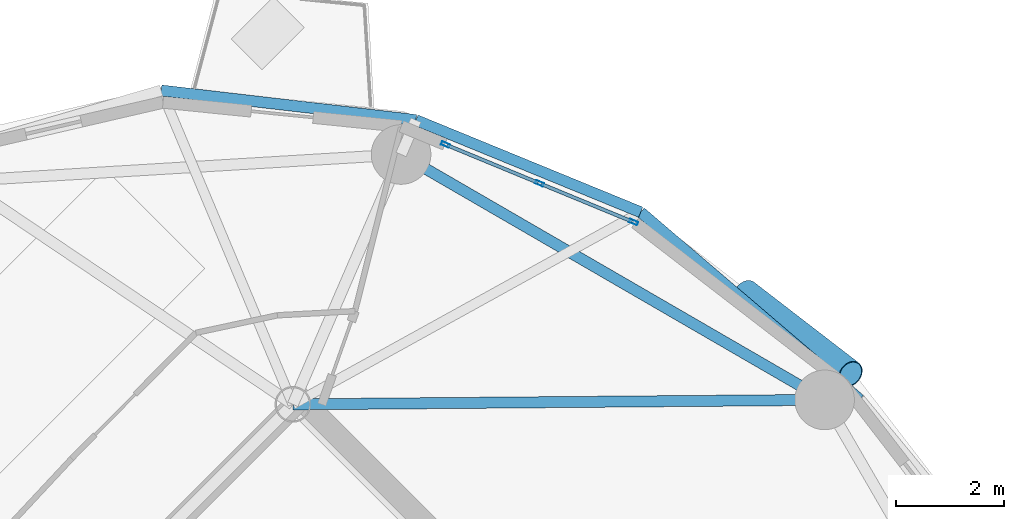
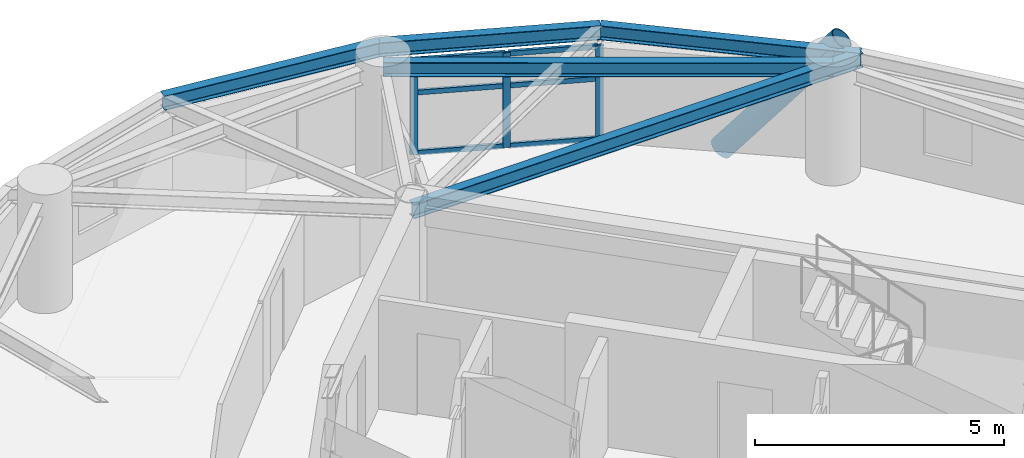
# One storey, part 5 of 15: 10 members, 5 beams, 1 element without a shape of its own.
"""IFC4 building model written with IfcOpenShell, lengths in metres."""

from ifc_helpers import new_model, si_unit, direction, frame, origin, origin_2d, place, context, subcontext, project, spatial, hollow_rectangle, hollow_circle, i_section, extrude, material, layer, layer_set, material_profile, profile_set, type_object, element, aggregate, save


model = new_model("IFC4")

# Units and contexts
model_context = context("Model", 3, precision=1e-05, world=origin(), true_north=direction((0.0, 1.0)))
body_context = subcontext(model_context, "Body", "Model", "MODEL_VIEW")
ifc_project = project(units=[si_unit("LENGTHUNIT", "METRE"), si_unit("AREAUNIT", "SQUARE_METRE"), si_unit("VOLUMEUNIT", "CUBIC_METRE"), si_unit("PLANEANGLEUNIT", "RADIAN"), si_unit("MASSUNIT", "GRAM", prefix="KILO")], contexts=[model_context])

# Site, building, storey
site_placement = place(None, origin())
site = spatial("IfcSite", under=ifc_project, at=site_placement, CompositionType="ELEMENT")
building_placement = place(site_placement, origin())
building = spatial("IfcBuilding", under=site, at=building_placement, Name="Cununo Teusaquillo Station Towers", CompositionType="ELEMENT")
storey_placement = place(building_placement, frame((0.0, 0.0, 199.570068359375)))
storey = spatial("IfcBuildingStorey", under=building, at=storey_placement, Name="L63", CompositionType="ELEMENT", Elevation=199.570068359375)

# Beams
ifc_material_1 = material(Name="Steel ASTM A572 Grade 50", Category="steel")
ifc_material_profile_1 = material_profile(ifc_material_1, i_section(OverallWidth=0.2041015625, OverallDepth=0.35009765625, WebThickness=0.008544921875, FlangeThickness=0.01513671875, FilletRadius=0.011962890625, at=origin_2d()), Name="W14X48")
ifc_profile_set_1 = profile_set([ifc_material_profile_1], Name="Steel ASTM A572 Grade 50")
beam_type_1 = type_object("IfcBeamType", Name="BM-RAD-G3", PredefinedType="BEAM", material=ifc_profile_set_1)
beam_1_placement = place(storey_placement, frame((56.29443359375, 33.024169921875, 2.52490234375), z_axis=(0.999964325253, 0.008446787673, 0.0), x_axis=(-0.008446787673, 0.999964325253, 0.0)))
element("IfcBeam", 1, at=beam_1_placement, inside=storey, type_object=beam_type_1, Name="L63 Tower B Continuous Overhanging Radial Girder 01", PredefinedType="BEAM", context=body_context, shape_type="SweptSolid", body=[
    extrude(i_section(OverallWidth=0.2041015625, OverallDepth=0.35009765625, WebThickness=0.008544921875, FlangeThickness=0.01513671875, FilletRadius=0.011962890625, at=origin_2d()), origin(), (0.0, 0.0, 1.0), 10.463134765625),
])
ifc_material_2 = material(Name="Steel ASTM A572 Grade 50", Category="steel")
ifc_material_profile_2 = material_profile(ifc_material_2, i_section(OverallWidth=0.2041015625, OverallDepth=0.35009765625, WebThickness=0.008544921875, FlangeThickness=0.01513671875, FilletRadius=0.011962890625, at=origin_2d()), Name="W14X48")
ifc_profile_set_2 = profile_set([ifc_material_profile_2], Name="Steel ASTM A572 Grade 50")
beam_type_2 = type_object("IfcBeamType", Name="BM-RING-Z4", PredefinedType="SPANDREL", material=ifc_profile_set_2)
beam_2_placement = place(storey_placement, frame((66.10693359375, 33.10693359375, 2.52490234375), z_axis=(-0.865267103202, 0.501311121078, 0.0), x_axis=(-0.501311121078, -0.865267103202, 0.0)))
element("IfcBeam", 2, at=beam_2_placement, inside=storey, type_object=beam_type_2, Name="L63 Tower B Structural Column Ring Girder 01", PredefinedType="SPANDREL", context=body_context, shape_type="SweptSolid", body=[
    extrude(i_section(OverallWidth=0.2041015625, OverallDepth=0.35009765625, WebThickness=0.008544921875, FlangeThickness=0.01513671875, FilletRadius=0.011962890625, at=origin_2d()), origin(), (0.0, 0.0, 1.0), 9.032958984375),
])
beam_3_placement = place(storey_placement, frame((66.757080078125, 33.112548828125, 2.52490234375), z_axis=(-0.760065778291, 0.649846145385, 0.0), x_axis=(-0.649846145385, -0.760065778291, 0.0)))
element("IfcBeam", 3, at=beam_3_placement, inside=storey, type_object=beam_type_2, Name="L63 Tower B Spandrel Ring Beam 01", PredefinedType="SPANDREL", context=body_context, shape_type="SweptSolid", body=[
    extrude(i_section(OverallWidth=0.2041015625, OverallDepth=0.35009765625, WebThickness=0.008544921875, FlangeThickness=0.01513671875, FilletRadius=0.011962890625, at=origin_2d()), origin(), (0.0, 0.0, 1.0), 5.320556640625),
])
beam_4_placement = place(storey_placement, frame((62.713134765625, 36.570068359375, 2.52490234375), z_axis=(-0.925283830437, 0.379275405388, 0.0), x_axis=(-0.379275405388, -0.925283830437, 0.0)))
element("IfcBeam", 4, at=beam_4_placement, inside=storey, type_object=beam_type_2, Name="L63 Tower B Spandrel Ring Beam 02", PredefinedType="SPANDREL", context=body_context, shape_type="SweptSolid", body=[
    extrude(i_section(OverallWidth=0.2041015625, OverallDepth=0.35009765625, WebThickness=0.008544921875, FlangeThickness=0.01513671875, FilletRadius=0.011962890625, at=origin_2d()), origin(), (0.0, 0.0, 1.0), 4.482177734375),
])
beam_5_placement = place(storey_placement, frame((58.56591796875, 38.27001953125, 2.52490234375), z_axis=(-0.993313022334, 0.115452326356, 0.0), x_axis=(-0.115452326356, -0.993313022334, 0.0)))
element("IfcBeam", 5, at=beam_5_placement, inside=storey, type_object=beam_type_2, Name="L63 Tower B Spandrel Ring Beam 03", PredefinedType="SPANDREL", context=body_context, shape_type="SweptSolid", body=[
    extrude(i_section(OverallWidth=0.2041015625, OverallDepth=0.35009765625, WebThickness=0.008544921875, FlangeThickness=0.01513671875, FilletRadius=0.011962890625, at=origin_2d()), origin(), (0.0, 0.0, 1.0), 4.732666015625),
])

# Curtain wall, members
ifc_material_3 = material(Name="Ceramic-fritted dark low-E double glazing", Category="glass")
ifc_layer = layer(ifc_material_3, 0.179931640625)
ifc_layer_set = layer_set([ifc_layer], Name="Ceramic-fritted dark low-E double glazing")
curtain_wall_type = type_object("IfcCurtainWallType", Name="CW-SYS-07", PredefinedType="USERDEFINED", material=ifc_layer_set)
curtain_wall_placement = place(storey_placement, origin())
curtain_wall = element("IfcCurtainWall", 6, at=curtain_wall_placement, inside=storey, type_object=curtain_wall_type, Name="L63 Tower B Facade Curtain Wall C01", ObjectType="FRITTED GLAZING", PredefinedType="USERDEFINED")
ifc_material_4 = material(Name="Anodised dark bronze aluminium EN AW-6063-T6", Category="aluminium")
ifc_material_profile_3 = material_profile(ifc_material_4, hollow_rectangle(XDim=0.06494140625, YDim=0.159912109375, WallThickness=0.00390625, at=origin_2d()), Name="CW-MULL-65x160")
ifc_profile_set_3 = profile_set([ifc_material_profile_3], Name="Anodised dark bronze aluminium EN AW-6063-T6")
member_type_1 = type_object("IfcMemberType", Name="CWM-160", PredefinedType="MULLION", material=ifc_profile_set_3)
member_1_placement = place(storey_placement, frame((59.111328125, 37.818359375, 0.0), z_axis=(0.0, 0.0, 1.0), x_axis=(0.381310513086, 0.924447019904, 0.0)))
member_1 = element("IfcMember", 7, at=member_1_placement, type_object=member_type_1, Name="CW-07 mullion 1", PredefinedType="MULLION", context=body_context, shape_type="SweptSolid", body=[
    extrude(hollow_rectangle(XDim=0.06494140625, YDim=0.159912109375, WallThickness=0.00390625, at=origin_2d()), origin(), (0.0, 0.0, 1.0), 2.322021484375),
])
member_2_placement = place(storey_placement, frame((60.84716796875, 37.102294921875, 0.0), z_axis=(0.0, 0.0, 1.0), x_axis=(0.381310513086, 0.924447019904, 0.0)))
member_2 = element("IfcMember", 8, at=member_2_placement, type_object=member_type_1, Name="CW-07 mullion 2", PredefinedType="MULLION", context=body_context, shape_type="SweptSolid", body=[
    extrude(hollow_rectangle(XDim=0.06494140625, YDim=0.159912109375, WallThickness=0.00390625, at=origin_2d()), origin(), (0.0, 0.0, 1.0), 2.322021484375),
])
member_3_placement = place(storey_placement, frame((62.583251953125, 36.38623046875, 0.0), z_axis=(0.0, 0.0, 1.0), x_axis=(0.381310513086, 0.924447019904, 0.0)))
member_3 = element("IfcMember", 9, at=member_3_placement, type_object=member_type_1, Name="CW-07 mullion 3", PredefinedType="MULLION", context=body_context, shape_type="SweptSolid", body=[
    extrude(hollow_rectangle(XDim=0.06494140625, YDim=0.159912109375, WallThickness=0.00390625, at=origin_2d()), origin(), (0.0, 0.0, 1.0), 2.322021484375),
])
ifc_material_5 = material(Name="Anodised dark bronze aluminium EN AW-6063-T6", Category="aluminium")
ifc_material_profile_4 = material_profile(ifc_material_5, hollow_rectangle(XDim=0.06494140625, YDim=0.1201171875, WallThickness=0.00390625, at=origin_2d()), Name="CW-TRAN-65x120")
ifc_profile_set_4 = profile_set([ifc_material_profile_4], Name="Anodised dark bronze aluminium EN AW-6063-T6")
member_type_2 = type_object("IfcMemberType", Name="CWT-120", PredefinedType="USERDEFINED", material=ifc_profile_set_4)
member_4_placement = place(storey_placement, frame((59.141357421875, 37.805908203125, 0.032470703125), z_axis=(0.924457591038, -0.381284883483, 0.0), x_axis=(0.381284883483, 0.924457591038, 0.0)))
member_4 = element("IfcMember", 10, at=member_4_placement, type_object=member_type_2, Name="CW-07 transom 1.1", ObjectType="TRANSOM", PredefinedType="USERDEFINED", context=body_context, shape_type="SweptSolid", body=[
    extrude(hollow_rectangle(XDim=0.06494140625, YDim=0.1201171875, WallThickness=0.00390625, at=origin_2d()), origin(), (0.0, 0.0, 1.0), 1.812744140625),
])
member_5_placement = place(storey_placement, frame((59.141357421875, 37.805908203125, 1.509033203125), z_axis=(0.924457591038, -0.381284883483, 0.0), x_axis=(0.381284883483, 0.924457591038, 0.0)))
member_5 = element("IfcMember", 11, at=member_5_placement, type_object=member_type_2, Name="CW-07 transom 1.2", ObjectType="TRANSOM", PredefinedType="USERDEFINED", context=body_context, shape_type="SweptSolid", body=[
    extrude(hollow_rectangle(XDim=0.06494140625, YDim=0.1201171875, WallThickness=0.00390625, at=origin_2d()), origin(), (0.0, 0.0, 1.0), 1.812744140625),
])
member_6_placement = place(storey_placement, frame((59.141357421875, 37.805908203125, 2.28955078125), z_axis=(0.924457591038, -0.381284883483, 0.0), x_axis=(0.381284883483, 0.924457591038, 0.0)))
member_6 = element("IfcMember", 12, at=member_6_placement, type_object=member_type_2, Name="CW-07 transom 1.3", ObjectType="TRANSOM", PredefinedType="USERDEFINED", context=body_context, shape_type="SweptSolid", body=[
    extrude(hollow_rectangle(XDim=0.06494140625, YDim=0.1201171875, WallThickness=0.00390625, at=origin_2d()), origin(), (0.0, 0.0, 1.0), 1.812744140625),
])
member_7_placement = place(storey_placement, frame((60.877197265625, 37.08984375, 0.032470703125), z_axis=(0.92447716721, -0.381237415932, 0.0), x_axis=(0.381237415932, 0.92447716721, 0.0)))
member_7 = element("IfcMember", 13, at=member_7_placement, type_object=member_type_2, Name="CW-07 transom 2.1", ObjectType="TRANSOM", PredefinedType="USERDEFINED", context=body_context, shape_type="SweptSolid", body=[
    extrude(hollow_rectangle(XDim=0.06494140625, YDim=0.1201171875, WallThickness=0.00390625, at=origin_2d()), origin(), (0.0, 0.0, 1.0), 1.81298828125),
])
member_8_placement = place(storey_placement, frame((60.877197265625, 37.08984375, 1.509033203125), z_axis=(0.92447716721, -0.381237415932, 0.0), x_axis=(0.381237415932, 0.92447716721, 0.0)))
member_8 = element("IfcMember", 14, at=member_8_placement, type_object=member_type_2, Name="CW-07 transom 2.2", ObjectType="TRANSOM", PredefinedType="USERDEFINED", context=body_context, shape_type="SweptSolid", body=[
    extrude(hollow_rectangle(XDim=0.06494140625, YDim=0.1201171875, WallThickness=0.00390625, at=origin_2d()), origin(), (0.0, 0.0, 1.0), 1.81298828125),
])
member_9_placement = place(storey_placement, frame((60.877197265625, 37.08984375, 2.28955078125), z_axis=(0.92447716721, -0.381237415932, 0.0), x_axis=(0.381237415932, 0.92447716721, 0.0)))
member_9 = element("IfcMember", 15, at=member_9_placement, type_object=member_type_2, Name="CW-07 transom 2.3", ObjectType="TRANSOM", PredefinedType="USERDEFINED", context=body_context, shape_type="SweptSolid", body=[
    extrude(hollow_rectangle(XDim=0.06494140625, YDim=0.1201171875, WallThickness=0.00390625, at=origin_2d()), origin(), (0.0, 0.0, 1.0), 1.81298828125),
])
aggregate(curtain_wall, [member_1, member_2, member_3, member_4, member_5, member_6, member_7, member_8, member_9])

# Member
ifc_material_6 = material(Name="Steel EN 10025-2 S355J2", Category="steel")
ifc_material_profile_5 = material_profile(ifc_material_6, hollow_circle(Radius=0.25390625, WallThickness=0.01806640625, at=origin_2d()), Name="CHS 508x18")
ifc_profile_set_5 = profile_set([ifc_material_profile_5], Name="Steel EN 10025-2 S355J2")
member_type_3 = type_object("IfcMemberType", Name="MBR-DIAG-Z4", PredefinedType="BRACE", material=ifc_profile_set_5)
member_10_placement = place(storey_placement, frame((64.649658203125, 35.078125, -0.14013671875), z_axis=(0.509522741264, -0.392548344915, 0.765697311632), x_axis=(0.610304239587, 0.792167113141, 0.0)))
element("IfcMember", 16, at=member_10_placement, inside=storey, type_object=member_type_3, Name="L63 Tower B Folded-Zigzag Diagrid Tube C00", PredefinedType="BRACE", context=body_context, shape_type="SweptSolid", body=[
    extrude(hollow_circle(Radius=0.25390625, WallThickness=0.01806640625, at=origin_2d()), origin(), (0.0, 0.0, 1.0), 3.80078125),
])

save(model, "model.ifc")
